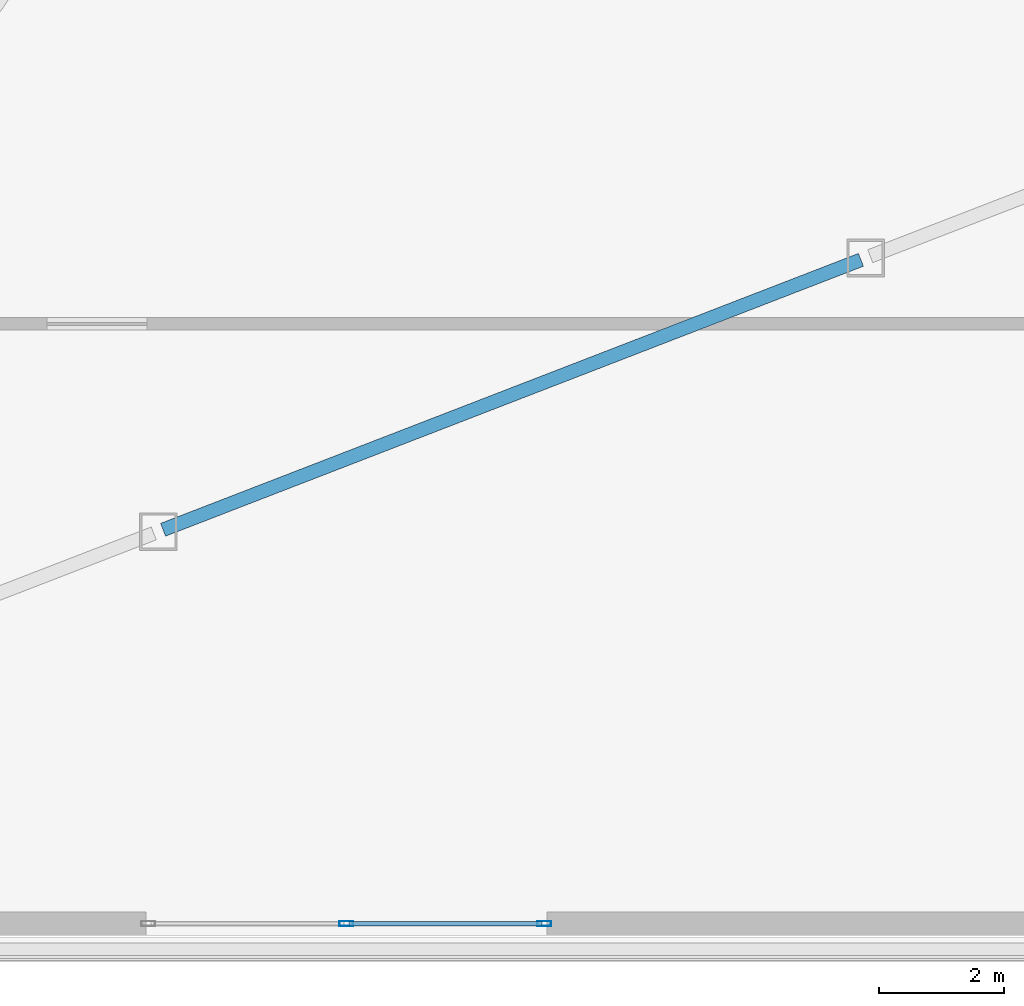
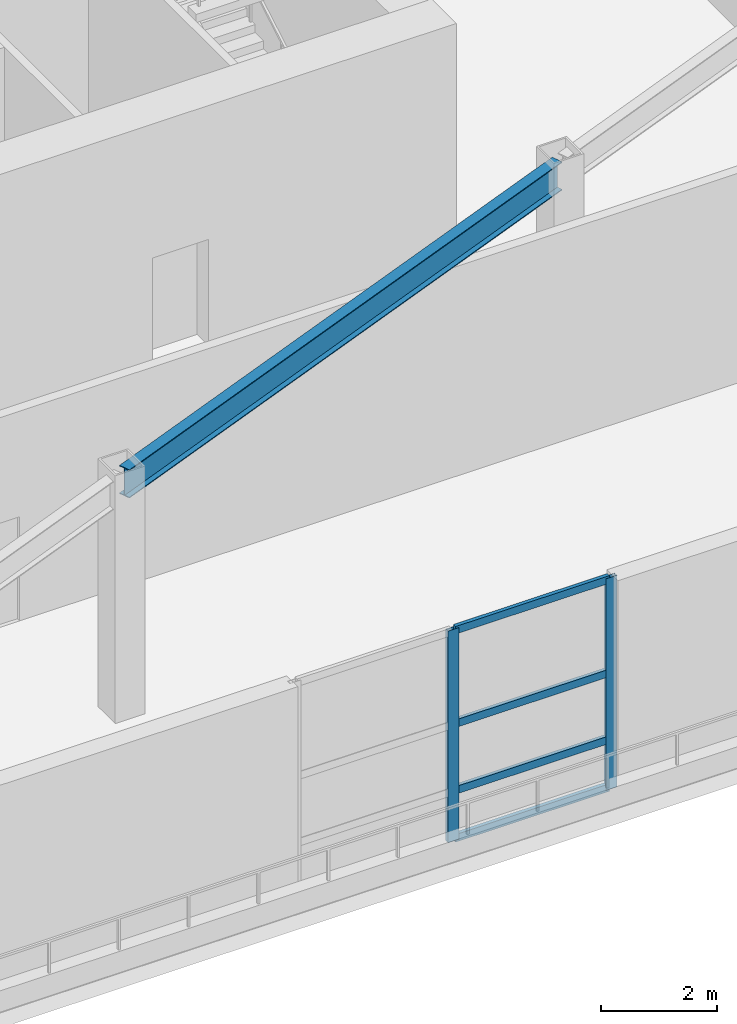
# One storey, part 4 of 15: 6 members, 1 beam, 1 element without a shape of its own.
"""IFC4 building model written with IfcOpenShell, lengths in metres."""

import ifcopenshell
import ifcopenshell.guid

model = None  # the IFC model being written
_history = None  # IfcOwnerHistory: only IFC2X3 demands one
_inside = {}  # id of a spatial element -> (the spatial element, [elements in it])
_under = {}  # id of a project, library or spatial element -> (it, [spatial elements below it])
_declared = {}  # id of a project -> (the project, [libraries it declares])
_typed = {}  # id of a type object -> (the type object, [elements of that type])
_made_of = {}  # id of a material, layer set ... -> (it, [elements and type objects made of it])


def new_model(schema):
    """Start an empty IFC model of exactly this schema.

    Asked for "IFC4X3", IfcOpenShell would pick the latest addendum, in which some entities
    have other attributes; the version numbers below select the first issue.
    IFC2X3 requires an IfcOwnerHistory on every rooted entity: one is made here for all.
    """
    global model, _history
    if schema == "IFC4X3":
        model = ifcopenshell.file(schema_version=(4, 3, 0, 0))
    else:
        model = ifcopenshell.file(schema=schema)
    _inside.clear()
    _under.clear()
    _declared.clear()
    _typed.clear()
    _made_of.clear()
    _history = None
    if model.schema == "IFC2X3":
        org = make("IfcOrganization", Name="unknown")
        user = make(
            "IfcPersonAndOrganization",
            ThePerson=make("IfcPerson", FamilyName="unknown"),
            TheOrganization=org,
        )
        app = make(
            "IfcApplication",
            ApplicationDeveloper=org,
            Version="unknown",
            ApplicationFullName="unknown",
            ApplicationIdentifier="unknown",
        )
        _history = make(
            "IfcOwnerHistory",
            OwningUser=user,
            OwningApplication=app,
            ChangeAction="ADDED",
            CreationDate=0,
        )
    return model


def make(cls, **values):
    """One entity of the class cls with the attributes given. An attribute that is None is left unset."""
    return model.create_entity(
        cls, **{name: value for name, value in values.items() if value is not None}
    )


def rooted(cls, **values):
    """An entity with a GlobalId (a new one), such as an element, a storey or a relation."""
    return make(cls, GlobalId=ifcopenshell.guid.new(), OwnerHistory=_history, **values)


def si_unit(unit_type, name, prefix=None):
    """IfcSIUnit, for example si_unit("LENGTHUNIT", "METRE", prefix="MILLI")."""
    return make("IfcSIUnit", UnitType=unit_type, Prefix=prefix, Name=name)


def assignment(units):
    """IfcUnitAssignment: the units of a project."""
    return None if units is None else make("IfcUnitAssignment", Units=units)


def point(xyz):
    """IfcCartesianPoint."""
    return None if xyz is None else make("IfcCartesianPoint", Coordinates=xyz)


def direction(xyz):
    """IfcDirection."""
    return None if xyz is None else make("IfcDirection", DirectionRatios=xyz)


def frame(location, z_axis=None, x_axis=None):
    """IfcAxis2Placement3D, a coordinate frame: its origin and axes. An axis left out is left unset."""
    return make(
        "IfcAxis2Placement3D",
        Location=point(location),
        Axis=direction(z_axis),
        RefDirection=direction(x_axis),
    )


def frame_2d(location, x_axis=None):
    """IfcAxis2Placement2D, a coordinate frame in the plane: its origin and x axis."""
    return make(
        "IfcAxis2Placement2D", Location=point(location), RefDirection=direction(x_axis)
    )


def origin():
    """The frame at (0, 0, 0) with its axes left unset."""
    return frame((0.0, 0.0, 0.0))


def origin_2d():
    """The frame at (0, 0) in the plane with its x axis left unset."""
    return frame_2d((0.0, 0.0))


def place(relative_to, where):
    """IfcLocalPlacement: puts the frame where relative to a parent placement (None: the world)."""
    return make(
        "IfcLocalPlacement", PlacementRelTo=relative_to, RelativePlacement=where
    )


def context(
    kind, dimensions, precision=None, world=None, true_north=None, identifier=None
):
    """IfcGeometricRepresentationContext, for example the 3D "Model" context."""
    return make(
        "IfcGeometricRepresentationContext",
        ContextIdentifier=identifier,
        ContextType=kind,
        CoordinateSpaceDimension=dimensions,
        Precision=precision,
        WorldCoordinateSystem=world,
        TrueNorth=true_north,
    )


def subcontext(parent, identifier, kind, view, scale=None):
    """IfcGeometricRepresentationSubContext, for example "Body" below "Model"."""
    return make(
        "IfcGeometricRepresentationSubContext",
        ContextIdentifier=identifier,
        ContextType=kind,
        ParentContext=parent,
        TargetScale=scale,
        TargetView=view,
    )


def project(units=None, contexts=None):
    """IfcProject with its units and contexts."""
    return rooted(
        "IfcProject",
        Name="project",
        RepresentationContexts=contexts,
        UnitsInContext=assignment(units),
    )


def spatial(cls, under=None, at=None, **own):
    """A site, building, storey or space (cls), placed at a placement, below another one or the project."""
    s = rooted(cls, ObjectPlacement=at, **own)
    if under is not None:
        _under.setdefault(under.id(), (under, []))[1].append(s)
    return s


def profile(cls, at=None, kind="AREA", **sizes):
    """A parametric profile (cls). Its sizes go by their IFC names, for example OverallWidth=200.0."""
    return make(cls, ProfileType=kind, Position=at, **sizes)


def hollow_rectangle(**sizes):
    """IfcRectangleHollowProfileDef."""
    return profile("IfcRectangleHollowProfileDef", **sizes)


def i_section(**sizes):
    """IfcIShapeProfileDef."""
    return profile("IfcIShapeProfileDef", **sizes)


def extrude(swept, where, along, depth):
    """IfcExtrudedAreaSolid: the profile swept, set in the frame where, extruded along a direction by depth."""
    return make(
        "IfcExtrudedAreaSolid",
        SweptArea=swept,
        Position=where,
        ExtrudedDirection=direction(along),
        Depth=depth,
    )


def shape(context_of_items, identifier, shape_type, items):
    """IfcShapeRepresentation: the items that make up one representation, for example the "Body"."""
    return make(
        "IfcShapeRepresentation",
        ContextOfItems=context_of_items,
        RepresentationIdentifier=identifier,
        RepresentationType=shape_type,
        Items=items,
    )


def source(mapping_origin, context_of_items, identifier, shape_type, items):
    """IfcRepresentationMap: a shape defined once, which mapped items show again and again."""
    return make(
        "IfcRepresentationMap",
        MappingOrigin=mapping_origin,
        MappedRepresentation=shape(context_of_items, identifier, shape_type, items),
    )


def transform(
    local_origin,
    x_axis=None,
    y_axis=None,
    z_axis=None,
    scale=None,
    scale2=None,
    scale3=None,
    uniform=True,
):
    """IfcCartesianTransformationOperator3D, or its non-uniform kind. x_axis, y_axis, z_axis: its Axis1, 2, 3."""
    if uniform:
        return make(
            "IfcCartesianTransformationOperator3D",
            Axis1=direction(x_axis),
            Axis2=direction(y_axis),
            LocalOrigin=point(local_origin),
            Scale=scale,
            Axis3=direction(z_axis),
        )
    return make(
        "IfcCartesianTransformationOperator3DnonUniform",
        Axis1=direction(x_axis),
        Axis2=direction(y_axis),
        LocalOrigin=point(local_origin),
        Scale=scale,
        Axis3=direction(z_axis),
        Scale2=scale2,
        Scale3=scale3,
    )


def mapped(mapping_source, mapping_target):
    """IfcMappedItem: shows the shape of a source again, moved by a transform."""
    return make(
        "IfcMappedItem", MappingSource=mapping_source, MappingTarget=mapping_target
    )


def material(Name=None, Category=None):
    """IfcMaterial."""
    return make("IfcMaterial", Name=Name, Category=Category)


def material_profile(
    of_material, cross_section, Name=None, Category=None, Priority=None
):
    """IfcMaterialProfile: a cross section and its material."""
    return make(
        "IfcMaterialProfile",
        Name=Name,
        Material=of_material,
        Profile=cross_section,
        Priority=Priority,
        Category=Category,
    )


def profile_set(profiles, Name=None, composite=None):
    """IfcMaterialProfileSet."""
    return make(
        "IfcMaterialProfileSet",
        Name=Name,
        MaterialProfiles=profiles,
        CompositeProfile=composite,
    )


def made_of(thing, what):
    """Note that an element or type object is made of a material, layer set ...; save() writes the relation."""
    if what is not None:
        _made_of.setdefault(what.id(), (what, []))[1].append(thing)
    return thing


def type_object(cls, material=None, **own):
    """A type object (cls), such as IfcWallType, which elements share."""
    return made_of(rooted(cls, **own), material)


def element(
    cls,
    number,
    at=None,
    inside=None,
    cuts=None,
    type_object=None,
    material=None,
    context=None,
    identifier="Body",
    shape_type=None,
    held_by="IfcProductDefinitionShape",
    body=None,
    shapes=None,
    **own,
):
    """One element of the class cls, such as IfcWall. Its Tag is "e" and its number.

    at: its placement. inside: the storey or other place that contains it. cuts: it is an
    opening in that element (IfcRelVoidsElement). A single representation is given by context,
    identifier, shape_type and body (its items); several are given by shapes. held_by: the class
    of the entity that holds the representations. save() writes the other relations.
    """
    e = rooted(cls, Tag="e%d" % number, ObjectPlacement=at, **own)
    if body is not None:
        shapes = [shape(context, identifier, shape_type, body)]
    if shapes is not None:
        e.Representation = make(held_by, Representations=shapes)
    if inside is not None:
        _inside.setdefault(inside.id(), (inside, []))[1].append(e)
    if cuts is not None:
        rooted(
            "IfcRelVoidsElement", RelatingBuildingElement=cuts, RelatedOpeningElement=e
        )
    if type_object is not None:
        _typed.setdefault(type_object.id(), (type_object, []))[1].append(e)
    return made_of(e, material)


def aggregate(whole, parts):
    """IfcRelAggregates: a whole, such as a stair, and the parts it consists of."""
    return rooted("IfcRelAggregates", RelatingObject=whole, RelatedObjects=parts)


def save(model, path):
    """Write the relations noted so far, then the file.

    IfcRelAggregates (storeys below a building ...), IfcRelContainedInSpatialStructure (elements
    in a storey), IfcRelDefinesByType, IfcRelAssociatesMaterial and IfcRelDeclares: one each for
    every whole, place, type object, material and project.
    """
    for whole, parts in _under.values():
        aggregate(whole, parts)
    for where, things in _inside.values():
        rooted(
            "IfcRelContainedInSpatialStructure",
            RelatedElements=things,
            RelatingStructure=where,
        )
    for kind, things in _typed.values():
        rooted("IfcRelDefinesByType", RelatedObjects=things, RelatingType=kind)
    for what, things in _made_of.values():
        rooted("IfcRelAssociatesMaterial", RelatedObjects=things, RelatingMaterial=what)
    for by, libraries in _declared.values():
        rooted("IfcRelDeclares", RelatingContext=by, RelatedDefinitions=libraries)
    model.write(path)


model = new_model("IFC4")

# Units and contexts
model_context = context("Model", 3, precision=1e-05, world=origin(), true_north=direction((0.0, 1.0)))
body_context = subcontext(model_context, "Body", "Model", "MODEL_VIEW")
ifc_project = project(units=[si_unit("LENGTHUNIT", "METRE"), si_unit("AREAUNIT", "SQUARE_METRE"), si_unit("VOLUMEUNIT", "CUBIC_METRE"), si_unit("PLANEANGLEUNIT", "RADIAN"), si_unit("MASSUNIT", "GRAM", prefix="KILO")], contexts=[model_context])

# Site, building, storey
site_placement = place(None, origin())
site = spatial("IfcSite", under=ifc_project, at=site_placement, CompositionType="ELEMENT")
building_placement = place(site_placement, origin())
building = spatial("IfcBuilding", under=site, at=building_placement, Name="Olszyna Solenne Hotel", CompositionType="ELEMENT")
storey_placement = place(building_placement, frame((0.0, 0.0, 10.199951171875)))
storey = spatial("IfcBuildingStorey", under=building, at=storey_placement, Name="L02", CompositionType="ELEMENT", Elevation=10.199951171875)

# Beam
ifc_material_1 = material(Name="Steel S355J2", Category="steel")
ifc_material_profile_1 = material_profile(ifc_material_1, i_section(OverallWidth=0.219970703125, OverallDepth=0.60009765625, WebThickness=0.011962890625, FlangeThickness=0.01904296875, at=origin_2d()), Name="IPE 600", Category="load-bearing")
ifc_profile_set_1 = profile_set([ifc_material_profile_1], Name="Steel S355J2")
beam_type = type_object("IfcBeamType", Name="BM-F1", PredefinedType="BEAM", material=ifc_profile_set_1)
shared_shape_1 = source(origin(), body_context, "Body", "SweptSolid", [
    extrude(i_section(OverallWidth=0.219970703125, OverallDepth=0.60009765625, WebThickness=0.011962890625, FlangeThickness=0.01904296875, at=origin_2d()), origin(), (0.0, 0.0, 1.0), 11.94091796875),
])
beam_placement = place(storey_placement, frame((35.074951171875, 9.915283203125, 4.780029296875), z_axis=(0.932649339214, 0.360784159939, 0.0), x_axis=(-0.360784159939, 0.932649339214, 0.0)))
element("IfcBeam", 1, at=beam_placement, inside=storey, type_object=beam_type, Name="Podium ring girder BM-F1 BRG-L02-62", PredefinedType="BEAM", context=body_context, shape_type="MappedRepresentation", body=[
    mapped(shared_shape_1, transform((0.0, 0.0, 0.0), x_axis=(1.0, 0.0, 0.0), y_axis=(0.0, 1.0, 0.0), z_axis=(0.0, 0.0, 1.0), scale=1.0)),
])

# Curtain wall, members
ifc_material_2 = material(Name="Anodised bronze aluminium", Category="aluminium")
curtain_wall_type = type_object("IfcCurtainWallType", Name="CW-SYS-1", PredefinedType="NOTDEFINED", material=ifc_material_2)
curtain_wall_placement = place(storey_placement, origin())
curtain_wall = element("IfcCurtainWall", 2, at=curtain_wall_placement, inside=storey, type_object=curtain_wall_type, Name="Unitised curtain wall CW-SYS-1 CW-L02-01", PredefinedType="NOTDEFINED")
ifc_material_profile_2 = material_profile(ifc_material_2, hollow_rectangle(XDim=0.074951171875, YDim=0.159912109375, WallThickness=0.00390625, at=origin_2d()), Name="TRAN 160x75x4", Category="load-bearing")
ifc_profile_set_2 = profile_set([ifc_material_profile_2], Name="Anodised bronze aluminium")
member_type_1 = type_object("IfcMemberType", Name="CW-T1", PredefinedType="USERDEFINED", material=ifc_profile_set_2)
shared_shape_2 = source(origin(), body_context, "Body", "SweptSolid", [
    extrude(hollow_rectangle(XDim=0.074951171875, YDim=0.159912109375, WallThickness=0.00390625, at=origin_2d()), origin(), (0.0, 0.0, 1.0), 3.080078125),
])
member_1_placement = place(storey_placement, frame((38.0400390625, 3.6298828125, 0.03759765625), z_axis=(1.0, 0.0, 0.0), x_axis=(0.0, 1.0, 0.0)))
member_1 = element("IfcMember", 3, at=member_1_placement, type_object=member_type_1, Name="Curtain-wall transom CW-T1 CT-L02-01-05", ObjectType="TRANSOM", PredefinedType="USERDEFINED", context=body_context, shape_type="MappedRepresentation", body=[
    mapped(shared_shape_2, transform((0.0, 0.0, 0.0), x_axis=(1.0, 0.0, 0.0), y_axis=(0.0, 1.0, 0.0), z_axis=(0.0, 0.0, 1.0), scale=1.0)),
])
member_2_placement = place(storey_placement, frame((38.0400390625, 3.6298828125, 1.050048828125), z_axis=(1.0, 0.0, 0.0), x_axis=(0.0, 1.0, 0.0)))
member_2 = element("IfcMember", 4, at=member_2_placement, type_object=member_type_1, Name="Curtain-wall transom CW-T1 CT-L02-01-06", ObjectType="TRANSOM", PredefinedType="USERDEFINED", context=body_context, shape_type="MappedRepresentation", body=[
    mapped(shared_shape_2, transform((0.0, 0.0, 0.0), x_axis=(1.0, 0.0, 0.0), y_axis=(0.0, 1.0, 0.0), z_axis=(0.0, 0.0, 1.0), scale=1.0)),
])
member_3_placement = place(storey_placement, frame((38.0400390625, 3.6298828125, 2.459716796875), z_axis=(1.0, 0.0, 0.0), x_axis=(0.0, 1.0, 0.0)))
member_3 = element("IfcMember", 5, at=member_3_placement, type_object=member_type_1, Name="Curtain-wall transom CW-T1 CT-L02-01-07", ObjectType="TRANSOM", PredefinedType="USERDEFINED", context=body_context, shape_type="MappedRepresentation", body=[
    mapped(shared_shape_2, transform((0.0, 0.0, 0.0), x_axis=(1.0, 0.0, 0.0), y_axis=(0.0, 1.0, 0.0), z_axis=(0.0, 0.0, 1.0), scale=1.0)),
])
member_4_placement = place(storey_placement, frame((38.0400390625, 3.6298828125, 4.4345703125), z_axis=(1.0, 0.0, 0.0), x_axis=(0.0, 1.0, 0.0)))
member_4 = element("IfcMember", 6, at=member_4_placement, type_object=member_type_1, Name="Curtain-wall transom CW-T1 CT-L02-01-08", ObjectType="TRANSOM", PredefinedType="USERDEFINED", context=body_context, shape_type="MappedRepresentation", body=[
    mapped(shared_shape_2, transform((0.0, 0.0, 0.0), x_axis=(1.0, 0.0, 0.0), y_axis=(0.0, 1.0, 0.0), z_axis=(0.0, 0.0, 1.0), scale=1.0)),
])
ifc_material_profile_3 = material_profile(ifc_material_2, hollow_rectangle(XDim=0.080078125, YDim=0.219970703125, WallThickness=0.0048828125, at=origin_2d()), Name="MULL 220x80x5", Category="load-bearing")
ifc_profile_set_3 = profile_set([ifc_material_profile_3], Name="Anodised bronze aluminium")
member_type_2 = type_object("IfcMemberType", Name="CW-M1", PredefinedType="MULLION", material=ifc_profile_set_3)
shared_shape_3 = source(origin(), body_context, "Body", "SweptSolid", [
    extrude(hollow_rectangle(XDim=0.080078125, YDim=0.219970703125, WallThickness=0.0048828125, at=origin_2d()), origin(), (0.0, 0.0, 1.0), 4.47216796875),
])
member_5_placement = place(storey_placement, frame((38.0, 3.6298828125, 0.0), z_axis=(0.0, 0.0, 1.0), x_axis=(0.0, 1.0, 0.0)))
member_5 = element("IfcMember", 7, at=member_5_placement, type_object=member_type_2, Name="Curtain-wall mullion CW-M1 CM-L02-01-02", PredefinedType="MULLION", context=body_context, shape_type="MappedRepresentation", body=[
    mapped(shared_shape_3, transform((0.0, 0.0, 0.0), x_axis=(1.0, 0.0, 0.0), y_axis=(0.0, 1.0, 0.0), z_axis=(0.0, 0.0, 1.0), scale=1.0)),
])
member_6_placement = place(storey_placement, frame((41.159912109375, 3.6298828125, 0.0), z_axis=(0.0, 0.0, 1.0), x_axis=(0.0, 1.0, 0.0)))
member_6 = element("IfcMember", 8, at=member_6_placement, type_object=member_type_2, Name="Curtain-wall mullion CW-M1 CM-L02-01-03", PredefinedType="MULLION", context=body_context, shape_type="MappedRepresentation", body=[
    mapped(shared_shape_3, transform((0.0, 0.0, 0.0), x_axis=(1.0, 0.0, 0.0), y_axis=(0.0, 1.0, 0.0), z_axis=(0.0, 0.0, 1.0), scale=1.0)),
])
aggregate(curtain_wall, [member_5, member_6, member_1, member_2, member_3, member_4])

save(model, "model.ifc")
